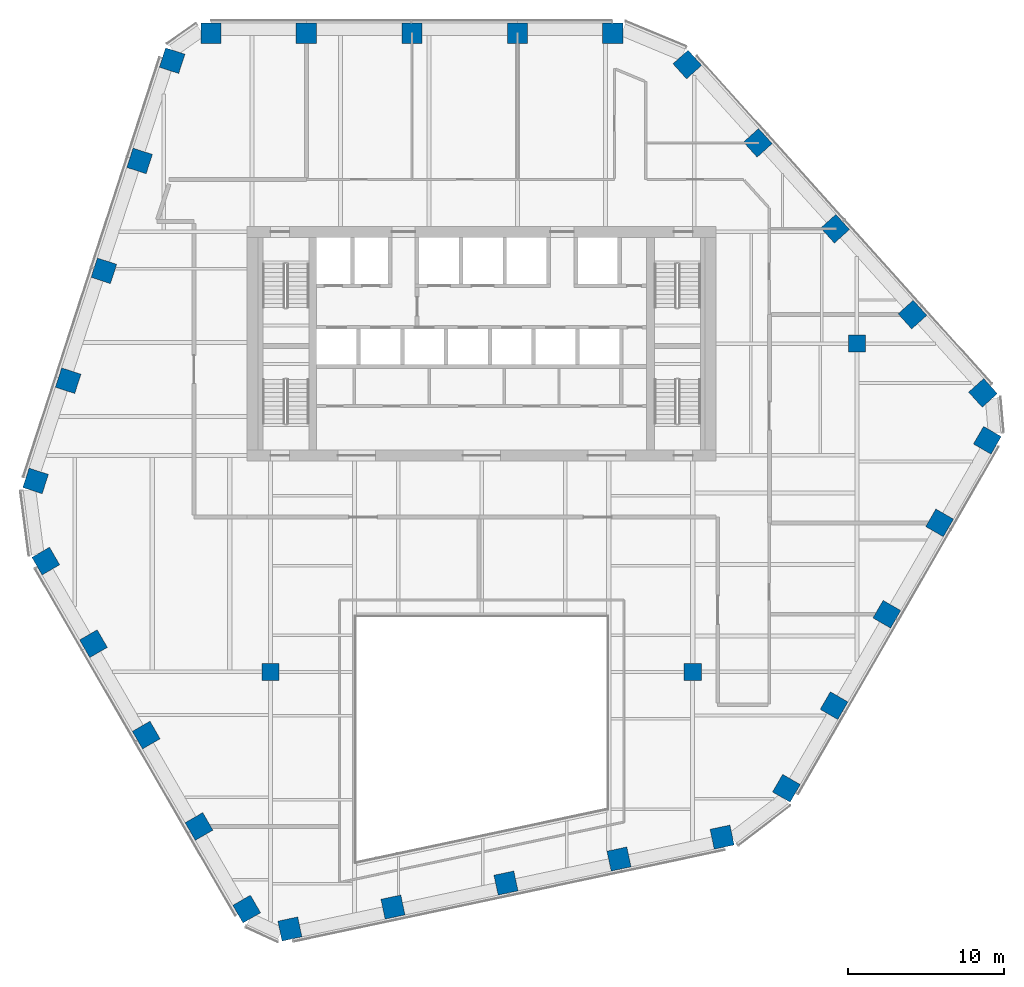
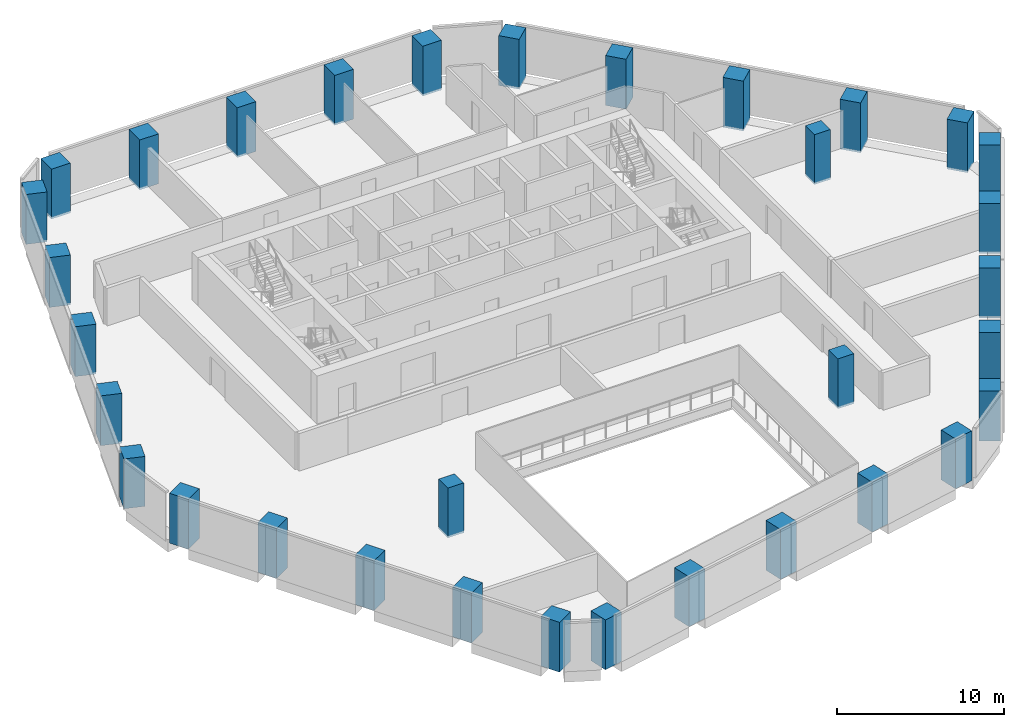
# One storey, part 1 of 16: 33 columns.
"""IFC4 building model written with IfcOpenShell, lengths in metres."""

from ifc_helpers import new_model, si_unit, direction, frame, origin, origin_2d, place, context, subcontext, project, spatial, rectangle, extrude, material, material_profile, profile_set, type_object, element, save


model = new_model("IFC4")

# Units and contexts
model_context = context("Model", 3, precision=1e-05, world=origin(), true_north=direction((0.0, 1.0)))
body_context = subcontext(model_context, "Body", "Model", "MODEL_VIEW")
ifc_project = project(units=[si_unit("LENGTHUNIT", "METRE"), si_unit("AREAUNIT", "SQUARE_METRE"), si_unit("VOLUMEUNIT", "CUBIC_METRE"), si_unit("PLANEANGLEUNIT", "RADIAN"), si_unit("MASSUNIT", "GRAM", prefix="KILO")], contexts=[model_context])

# Site, building, storey
site_placement = place(None, origin())
site = spatial("IfcSite", under=ifc_project, at=site_placement, CompositionType="ELEMENT")
building_placement = place(site_placement, origin())
building = spatial("IfcBuilding", under=site, at=building_placement, Name="Isthmus Gate Tower", CompositionType="ELEMENT")
storey_placement = place(building_placement, frame((0.0, 0.0, 196.35009765625)))
storey = spatial("IfcBuildingStorey", under=building, at=storey_placement, Name="L49", CompositionType="ELEMENT", Elevation=196.35009765625)

# Columns
ifc_material_1 = material(Name="Concrete f'c 60 MPa", Category="concrete")
ifc_material_profile_1 = material_profile(ifc_material_1, rectangle(XDim=1.10009765625, YDim=1.10009765625, at=origin_2d()), Name="RC 1100X1100")
ifc_profile_set_1 = profile_set([ifc_material_profile_1], Name="Concrete f'c 60 MPa")
column_type_1 = type_object("IfcColumnType", Name="RC INTERIOR COLUMN 1100 X 1100", PredefinedType="COLUMN", material=ifc_profile_set_1)
for number, where, z_axis, x_axis, name in (
    (1, (-13.5, -13.5, -0.150146484375), (0.0, 0.0, 1.0), (1.0, 0.0, 0.0), "str-icol-L49-ICB2"),
    (2, (13.5, -13.5, -0.150146484375), (0.0, 0.0, 1.0), (1.0, 0.0, 0.0), "str-icol-L49-ICD2"),
    (3, (24.0, 7.5, -0.150146484375), (0.0, 0.0, 1.0), (1.0, 0.0, 0.0), "str-icol-L49-ICE3"),
):
    element("IfcColumn", number, at=place(storey_placement, frame(where, z_axis=z_axis, x_axis=x_axis)), inside=storey, type_object=column_type_1, Name=name, PredefinedType="COLUMN", context=body_context, shape_type="SweptSolid", body=[
        extrude(rectangle(XDim=1.10009765625, YDim=1.10009765625, at=origin_2d()), origin(), (0.0, 0.0, 1.0), 3.650146484375),
    ])
ifc_material_2 = material(Name="Concrete f'c 60 MPa", Category="concrete")
ifc_material_profile_2 = material_profile(ifc_material_2, rectangle(XDim=1.300048828125, YDim=1.300048828125, at=origin_2d()), Name="RC 1300X1300")
ifc_profile_set_2 = profile_set([ifc_material_profile_2], Name="Concrete f'c 60 MPa")
column_type_2 = type_object("IfcColumnType", Name="RC TUBE COLUMN 1300 X 1300", PredefinedType="COLUMN", material=ifc_profile_set_2)
for number, where, z_axis, x_axis, name in (
    (4, (8.388671875, 27.35009765625, -0.150146484375), (0.0, 0.0, 1.0), (-1.0, 0.0, 0.0), "str-tcol-L49-T2N0"),
    (5, (2.288330078125, 27.35009765625, -0.150146484375), (0.0, 0.0, 1.0), (-1.0, 0.0, 0.0), "str-tcol-L49-T2N1"),
    (6, (-4.461669921875, 27.35009765625, -0.150146484375), (0.0, 0.0, 1.0), (-1.0, 0.0, 0.0), "str-tcol-L49-T2N2"),
    (7, (-11.2119140625, 27.35009765625, -0.150146484375), (0.0, 0.0, 1.0), (-1.0, 0.0, 0.0), "str-tcol-L49-T2N3"),
    (8, (-17.31201171875, 27.35009765625, -0.150146484375), (0.0, 0.0, 1.0), (-1.0, 0.0, 0.0), "str-tcol-L49-T2N4"),
    (9, (-19.797607421875, 25.595947265625, -0.150146484375), (0.0, 0.0, 1.0), (-0.309016994375, -0.951056516295, 0.0), "str-tcol-L49-T2NW0"),
    (10, (-21.880615234375, 19.18505859375, -0.150146484375), (0.0, 0.0, 1.0), (-0.309016994375, -0.951056516295, 0.0), "str-tcol-L49-T2NW1"),
    (11, (-24.164306640625, 12.156005859375, -0.150146484375), (0.0, 0.0, 1.0), (-0.309016994375, -0.951056516295, 0.0), "str-tcol-L49-T2NW2"),
    (12, (-26.4482421875, 5.126953125, -0.150146484375), (0.0, 0.0, 1.0), (-0.309016994375, -0.951056516295, 0.0), "str-tcol-L49-T2NW3"),
    (13, (-28.53125, -1.283935546875, -0.150146484375), (0.0, 0.0, 1.0), (-0.309016994375, -0.951056516295, 0.0), "str-tcol-L49-T2NW4"),
    (14, (-27.880126953125, -6.410400390625, -0.150146484375), (0.0, 0.0, 1.0), (0.5, -0.866025403784, 0.0), "str-tcol-L49-T2SW0"),
    (15, (-24.830078125, -11.693115234375, -0.150146484375), (0.0, 0.0, 1.0), (0.5, -0.866025403784, 0.0), "str-tcol-L49-T2SW1"),
    (16, (-21.454833984375, -17.5390625, -0.150146484375), (0.0, 0.0, 1.0), (0.5, -0.866025403784, 0.0), "str-tcol-L49-T2SW2"),
    (17, (-18.079833984375, -23.384765625, -0.150146484375), (0.0, 0.0, 1.0), (0.5, -0.866025403784, 0.0), "str-tcol-L49-T2SW3"),
    (18, (-15.02978515625, -28.667724609375, -0.150146484375), (0.0, 0.0, 1.0), (0.5, -0.866025403784, 0.0), "str-tcol-L49-T2SW4"),
    (19, (-12.267822265625, -29.943115234375, -0.150146484375), (0.0, 0.0, 1.0), (0.978147600734, 0.207911690818, 0.0), "str-tcol-L49-T2S0"),
    (20, (-5.674560546875, -28.54150390625, -0.150146484375), (0.0, 0.0, 1.0), (0.978147600734, 0.207911690818, 0.0), "str-tcol-L49-T2S1"),
    (21, (1.554931640625, -27.0048828125, -0.150146484375), (0.0, 0.0, 1.0), (0.978147600734, 0.207911690818, 0.0), "str-tcol-L49-T2S2"),
    (22, (8.7841796875, -25.46826171875, -0.150146484375), (0.0, 0.0, 1.0), (0.978147600734, 0.207911690818, 0.0), "str-tcol-L49-T2S3"),
    (23, (15.377685546875, -24.06689453125, -0.150146484375), (0.0, 0.0, 1.0), (0.978147600734, 0.207911690818, 0.0), "str-tcol-L49-T2S4"),
    (24, (19.491455078125, -20.939697265625, -0.150146484375), (0.0, 0.0, 1.0), (0.5, 0.866025403784, 0.0), "str-tcol-L49-T2SE0"),
    (25, (22.54150390625, -15.65673828125, -0.150146484375), (0.0, 0.0, 1.0), (0.5, 0.866025403784, 0.0), "str-tcol-L49-T2SE1"),
    (26, (25.916748046875, -9.81103515625, -0.150146484375), (0.0, 0.0, 1.0), (0.5, 0.866025403784, 0.0), "str-tcol-L49-T2SE2"),
    (27, (29.291748046875, -3.96533203125, -0.150146484375), (0.0, 0.0, 1.0), (0.5, 0.866025403784, 0.0), "str-tcol-L49-T2SE3"),
    (28, (32.341796875, 1.317626953125, -0.150146484375), (0.0, 0.0, 1.0), (0.5, 0.866025403784, 0.0), "str-tcol-L49-T2SE4"),
    (29, (32.0654296875, 4.34716796875, -0.150146484375), (0.0, 0.0, 1.0), (-0.669130606359, 0.743144825477, 0.0), "str-tcol-L49-T2NE0"),
    (30, (27.554931640625, 9.356689453125, -0.150146484375), (0.0, 0.0, 1.0), (-0.669130606359, 0.743144825477, 0.0), "str-tcol-L49-T2NE1"),
    (31, (22.609619140625, 14.84912109375, -0.150146484375), (0.0, 0.0, 1.0), (-0.669130606359, 0.743144825477, 0.0), "str-tcol-L49-T2NE2"),
    (32, (17.6640625, 20.341552734375, -0.150146484375), (0.0, 0.0, 1.0), (-0.669130606359, 0.743144825477, 0.0), "str-tcol-L49-T2NE3"),
    (33, (13.15380859375, 25.350830078125, -0.150146484375), (0.0, 0.0, 1.0), (-0.669130606359, 0.743144825477, 0.0), "str-tcol-L49-T2NE4"),
):
    element("IfcColumn", number, at=place(storey_placement, frame(where, z_axis=z_axis, x_axis=x_axis)), inside=storey, type_object=column_type_2, Name=name, PredefinedType="COLUMN", context=body_context, shape_type="SweptSolid", body=[
        extrude(rectangle(XDim=1.300048828125, YDim=1.300048828125, at=origin_2d()), origin(), (0.0, 0.0, 1.0), 3.650146484375),
    ])

save(model, "model.ifc")
